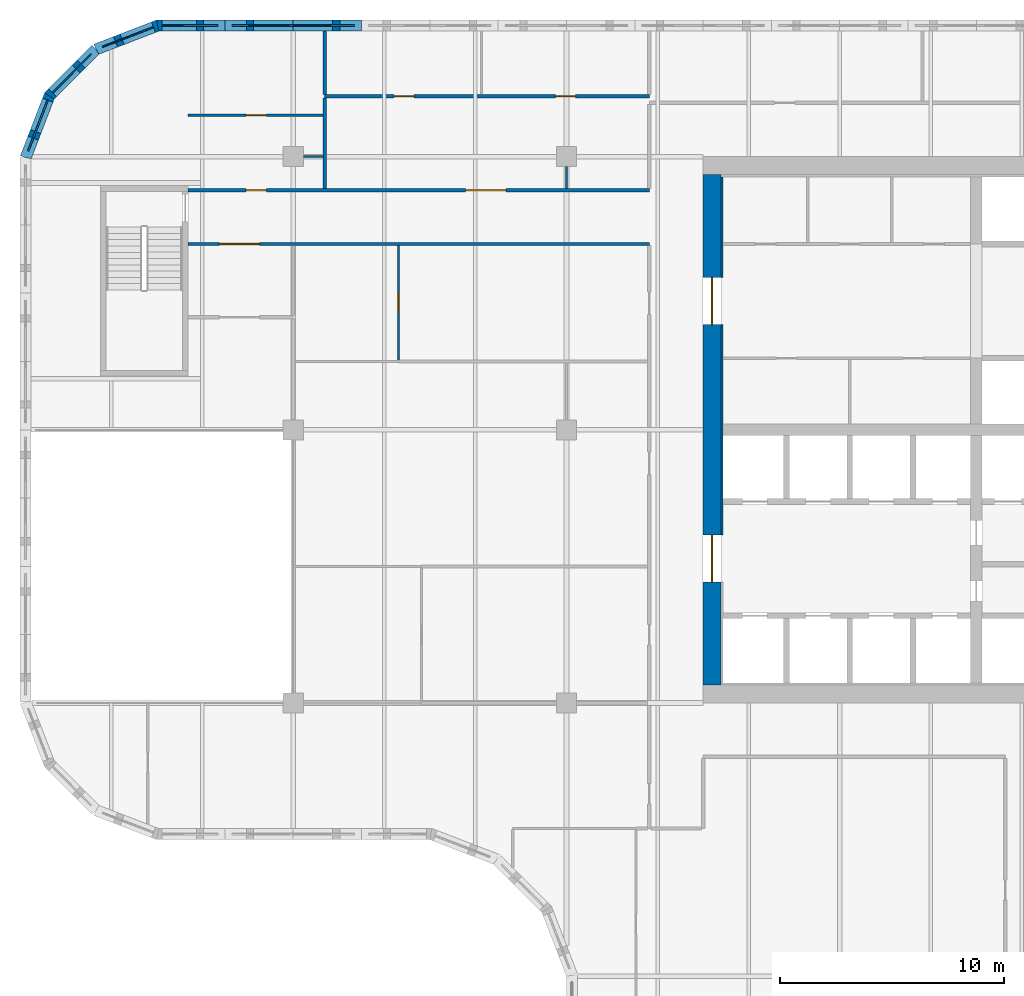
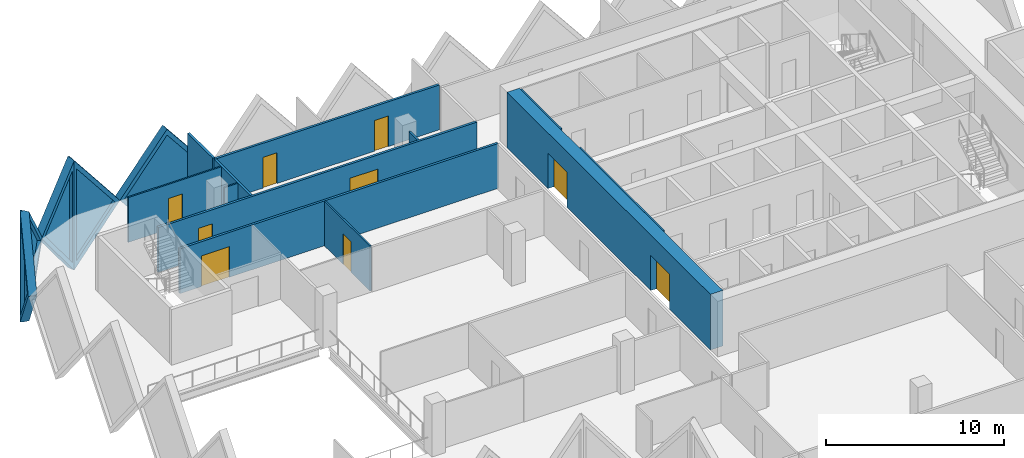
# One storey, part 8 of 19: 17 walls, 9 doors, 5 plates, 14 openings.
"""IFC4 building model written with IfcOpenShell, lengths in metres."""

import ifcopenshell
import ifcopenshell.guid

model = None  # the IFC model being written
_history = None  # IfcOwnerHistory: only IFC2X3 demands one
_inside = {}  # id of a spatial element -> (the spatial element, [elements in it])
_under = {}  # id of a project, library or spatial element -> (it, [spatial elements below it])
_declared = {}  # id of a project -> (the project, [libraries it declares])
_typed = {}  # id of a type object -> (the type object, [elements of that type])
_made_of = {}  # id of a material, layer set ... -> (it, [elements and type objects made of it])


def new_model(schema):
    """Start an empty IFC model of exactly this schema.

    Asked for "IFC4X3", IfcOpenShell would pick the latest addendum, in which some entities
    have other attributes; the version numbers below select the first issue.
    IFC2X3 requires an IfcOwnerHistory on every rooted entity: one is made here for all.
    """
    global model, _history
    if schema == "IFC4X3":
        model = ifcopenshell.file(schema_version=(4, 3, 0, 0))
    else:
        model = ifcopenshell.file(schema=schema)
    _inside.clear()
    _under.clear()
    _declared.clear()
    _typed.clear()
    _made_of.clear()
    _history = None
    if model.schema == "IFC2X3":
        org = make("IfcOrganization", Name="unknown")
        user = make(
            "IfcPersonAndOrganization",
            ThePerson=make("IfcPerson", FamilyName="unknown"),
            TheOrganization=org,
        )
        app = make(
            "IfcApplication",
            ApplicationDeveloper=org,
            Version="unknown",
            ApplicationFullName="unknown",
            ApplicationIdentifier="unknown",
        )
        _history = make(
            "IfcOwnerHistory",
            OwningUser=user,
            OwningApplication=app,
            ChangeAction="ADDED",
            CreationDate=0,
        )
    return model


def make(cls, **values):
    """One entity of the class cls with the attributes given. An attribute that is None is left unset."""
    return model.create_entity(
        cls, **{name: value for name, value in values.items() if value is not None}
    )


def rooted(cls, **values):
    """An entity with a GlobalId (a new one), such as an element, a storey or a relation."""
    return make(cls, GlobalId=ifcopenshell.guid.new(), OwnerHistory=_history, **values)


def si_unit(unit_type, name, prefix=None):
    """IfcSIUnit, for example si_unit("LENGTHUNIT", "METRE", prefix="MILLI")."""
    return make("IfcSIUnit", UnitType=unit_type, Prefix=prefix, Name=name)


def assignment(units):
    """IfcUnitAssignment: the units of a project."""
    return None if units is None else make("IfcUnitAssignment", Units=units)


def point(xyz):
    """IfcCartesianPoint."""
    return None if xyz is None else make("IfcCartesianPoint", Coordinates=xyz)


def direction(xyz):
    """IfcDirection."""
    return None if xyz is None else make("IfcDirection", DirectionRatios=xyz)


def frame(location, z_axis=None, x_axis=None):
    """IfcAxis2Placement3D, a coordinate frame: its origin and axes. An axis left out is left unset."""
    return make(
        "IfcAxis2Placement3D",
        Location=point(location),
        Axis=direction(z_axis),
        RefDirection=direction(x_axis),
    )


def frame_2d(location, x_axis=None):
    """IfcAxis2Placement2D, a coordinate frame in the plane: its origin and x axis."""
    return make(
        "IfcAxis2Placement2D", Location=point(location), RefDirection=direction(x_axis)
    )


def origin():
    """The frame at (0, 0, 0) with its axes left unset."""
    return frame((0.0, 0.0, 0.0))


def place(relative_to, where):
    """IfcLocalPlacement: puts the frame where relative to a parent placement (None: the world)."""
    return make(
        "IfcLocalPlacement", PlacementRelTo=relative_to, RelativePlacement=where
    )


def context(
    kind, dimensions, precision=None, world=None, true_north=None, identifier=None
):
    """IfcGeometricRepresentationContext, for example the 3D "Model" context."""
    return make(
        "IfcGeometricRepresentationContext",
        ContextIdentifier=identifier,
        ContextType=kind,
        CoordinateSpaceDimension=dimensions,
        Precision=precision,
        WorldCoordinateSystem=world,
        TrueNorth=true_north,
    )


def subcontext(parent, identifier, kind, view, scale=None):
    """IfcGeometricRepresentationSubContext, for example "Body" below "Model"."""
    return make(
        "IfcGeometricRepresentationSubContext",
        ContextIdentifier=identifier,
        ContextType=kind,
        ParentContext=parent,
        TargetScale=scale,
        TargetView=view,
    )


def project(units=None, contexts=None):
    """IfcProject with its units and contexts."""
    return rooted(
        "IfcProject",
        Name="project",
        RepresentationContexts=contexts,
        UnitsInContext=assignment(units),
    )


def spatial(cls, under=None, at=None, **own):
    """A site, building, storey or space (cls), placed at a placement, below another one or the project."""
    s = rooted(cls, ObjectPlacement=at, **own)
    if under is not None:
        _under.setdefault(under.id(), (under, []))[1].append(s)
    return s


def polyline(points):
    """IfcPolyline through the points."""
    return make("IfcPolyline", Points=[point(p) for p in points])


def profile(cls, at=None, kind="AREA", **sizes):
    """A parametric profile (cls). Its sizes go by their IFC names, for example OverallWidth=200.0."""
    return make(cls, ProfileType=kind, Position=at, **sizes)


def rectangle(**sizes):
    """IfcRectangleProfileDef."""
    return profile("IfcRectangleProfileDef", **sizes)


def outline(outer, holes=None, kind="AREA"):
    """IfcArbitraryClosedProfileDef: a profile drawn as a closed curve; with holes, ...WithVoids."""
    if holes is None:
        return make("IfcArbitraryClosedProfileDef", ProfileType=kind, OuterCurve=outer)
    return make(
        "IfcArbitraryProfileDefWithVoids",
        ProfileType=kind,
        OuterCurve=outer,
        InnerCurves=holes,
    )


def extrude(swept, where, along, depth):
    """IfcExtrudedAreaSolid: the profile swept, set in the frame where, extruded along a direction by depth."""
    return make(
        "IfcExtrudedAreaSolid",
        SweptArea=swept,
        Position=where,
        ExtrudedDirection=direction(along),
        Depth=depth,
    )


def faces_of(points, faces, orient=None, outer=None):
    """IfcFace entities. A face is a list of loops; a loop is a list of indices into points, from 0.

    orient and outer hold one flag for each loop. By default every Orientation is true, the
    first loop of a face is its IfcFaceOuterBound and the others are IfcFaceBound.
    """
    made = []
    for i, loops in enumerate(faces):
        bounds = []
        for j, loop in enumerate(loops):
            is_outer = j == 0 if outer is None else outer[i][j]
            bounds.append(
                make(
                    "IfcFaceOuterBound" if is_outer else "IfcFaceBound",
                    Bound=make("IfcPolyLoop", Polygon=[points[k] for k in loop]),
                    Orientation=True if orient is None else orient[i][j],
                )
            )
        made.append(make("IfcFace", Bounds=bounds))
    return made


def faceted_brep(points, faces, orient=None, outer=None, voids=None):
    """IfcFacetedBrep: a solid bounded by flat faces; with voids (closed shells), ...WithVoids."""
    shared = [point(p) for p in points]
    hull = make("IfcClosedShell", CfsFaces=faces_of(shared, faces, orient, outer))
    if voids is None:
        return make("IfcFacetedBrep", Outer=hull)
    return make(
        "IfcFacetedBrepWithVoids",
        Outer=hull,
        Voids=[
            make(cls, CfsFaces=faces_of(shared, fs, o, b)) for cls, fs, o, b in voids
        ],
    )


def shape(context_of_items, identifier, shape_type, items):
    """IfcShapeRepresentation: the items that make up one representation, for example the "Body"."""
    return make(
        "IfcShapeRepresentation",
        ContextOfItems=context_of_items,
        RepresentationIdentifier=identifier,
        RepresentationType=shape_type,
        Items=items,
    )


def source(mapping_origin, context_of_items, identifier, shape_type, items):
    """IfcRepresentationMap: a shape defined once, which mapped items show again and again."""
    return make(
        "IfcRepresentationMap",
        MappingOrigin=mapping_origin,
        MappedRepresentation=shape(context_of_items, identifier, shape_type, items),
    )


def transform(
    local_origin,
    x_axis=None,
    y_axis=None,
    z_axis=None,
    scale=None,
    scale2=None,
    scale3=None,
    uniform=True,
):
    """IfcCartesianTransformationOperator3D, or its non-uniform kind. x_axis, y_axis, z_axis: its Axis1, 2, 3."""
    if uniform:
        return make(
            "IfcCartesianTransformationOperator3D",
            Axis1=direction(x_axis),
            Axis2=direction(y_axis),
            LocalOrigin=point(local_origin),
            Scale=scale,
            Axis3=direction(z_axis),
        )
    return make(
        "IfcCartesianTransformationOperator3DnonUniform",
        Axis1=direction(x_axis),
        Axis2=direction(y_axis),
        LocalOrigin=point(local_origin),
        Scale=scale,
        Axis3=direction(z_axis),
        Scale2=scale2,
        Scale3=scale3,
    )


def mapped(mapping_source, mapping_target):
    """IfcMappedItem: shows the shape of a source again, moved by a transform."""
    return make(
        "IfcMappedItem", MappingSource=mapping_source, MappingTarget=mapping_target
    )


def material(Name=None, Category=None):
    """IfcMaterial."""
    return make("IfcMaterial", Name=Name, Category=Category)


def layer(
    of_material, thickness, ventilated=None, Name=None, Category=None, Priority=None
):
    """IfcMaterialLayer: one layer of a wall or slab, of a material (None: an air gap)."""
    return make(
        "IfcMaterialLayer",
        Material=of_material,
        LayerThickness=thickness,
        IsVentilated=ventilated,
        Name=Name,
        Category=Category,
        Priority=Priority,
    )


def layer_set(layers, Name=None):
    """IfcMaterialLayerSet."""
    return make("IfcMaterialLayerSet", MaterialLayers=layers, LayerSetName=Name)


def made_of(thing, what):
    """Note that an element or type object is made of a material, layer set ...; save() writes the relation."""
    if what is not None:
        _made_of.setdefault(what.id(), (what, []))[1].append(thing)
    return thing


def type_object(cls, material=None, **own):
    """A type object (cls), such as IfcWallType, which elements share."""
    return made_of(rooted(cls, **own), material)


def element(
    cls,
    number,
    at=None,
    inside=None,
    cuts=None,
    type_object=None,
    material=None,
    context=None,
    identifier="Body",
    shape_type=None,
    held_by="IfcProductDefinitionShape",
    body=None,
    shapes=None,
    **own,
):
    """One element of the class cls, such as IfcWall. Its Tag is "e" and its number.

    at: its placement. inside: the storey or other place that contains it. cuts: it is an
    opening in that element (IfcRelVoidsElement). A single representation is given by context,
    identifier, shape_type and body (its items); several are given by shapes. held_by: the class
    of the entity that holds the representations. save() writes the other relations.
    """
    e = rooted(cls, Tag="e%d" % number, ObjectPlacement=at, **own)
    if body is not None:
        shapes = [shape(context, identifier, shape_type, body)]
    if shapes is not None:
        e.Representation = make(held_by, Representations=shapes)
    if inside is not None:
        _inside.setdefault(inside.id(), (inside, []))[1].append(e)
    if cuts is not None:
        rooted(
            "IfcRelVoidsElement", RelatingBuildingElement=cuts, RelatedOpeningElement=e
        )
    if type_object is not None:
        _typed.setdefault(type_object.id(), (type_object, []))[1].append(e)
    return made_of(e, material)


def fill(opening, filler):
    """IfcRelFillsElement: the door or window that sits in an opening."""
    return rooted(
        "IfcRelFillsElement",
        RelatingOpeningElement=opening,
        RelatedBuildingElement=filler,
    )


def aggregate(whole, parts):
    """IfcRelAggregates: a whole, such as a stair, and the parts it consists of."""
    return rooted("IfcRelAggregates", RelatingObject=whole, RelatedObjects=parts)


def save(model, path):
    """Write the relations noted so far, then the file.

    IfcRelAggregates (storeys below a building ...), IfcRelContainedInSpatialStructure (elements
    in a storey), IfcRelDefinesByType, IfcRelAssociatesMaterial and IfcRelDeclares: one each for
    every whole, place, type object, material and project.
    """
    for whole, parts in _under.values():
        aggregate(whole, parts)
    for where, things in _inside.values():
        rooted(
            "IfcRelContainedInSpatialStructure",
            RelatedElements=things,
            RelatingStructure=where,
        )
    for kind, things in _typed.values():
        rooted("IfcRelDefinesByType", RelatedObjects=things, RelatingType=kind)
    for what, things in _made_of.values():
        rooted("IfcRelAssociatesMaterial", RelatedObjects=things, RelatingMaterial=what)
    for by, libraries in _declared.values():
        rooted("IfcRelDeclares", RelatingContext=by, RelatedDefinitions=libraries)
    model.write(path)


model = new_model("IFC4")

# Units and contexts
model_context = context("Model", 3, precision=1e-05, world=origin(), true_north=direction((0.0, 1.0)))
body_context = subcontext(model_context, "Body", "Model", "MODEL_VIEW")
ifc_project = project(units=[si_unit("LENGTHUNIT", "METRE"), si_unit("AREAUNIT", "SQUARE_METRE"), si_unit("VOLUMEUNIT", "CUBIC_METRE"), si_unit("PLANEANGLEUNIT", "RADIAN"), si_unit("MASSUNIT", "GRAM", prefix="KILO")], contexts=[model_context])

# Site, building, storey
site_placement = place(None, origin())
site = spatial("IfcSite", under=ifc_project, at=site_placement, CompositionType="ELEMENT")
building_placement = place(site_placement, origin())
building = spatial("IfcBuilding", under=site, at=building_placement, Name="Tessera Gate Towers", CompositionType="ELEMENT")
storey_placement = place(building_placement, frame((0.0, 0.0, 83.800048828125)))
storey = spatial("IfcBuildingStorey", under=building, at=storey_placement, Name="L20", CompositionType="ELEMENT", Elevation=83.800048828125)

# Wall, openings, doors
ifc_material_1 = material(Name="Concrete C60/75", Category="concrete")
ifc_layer_1 = layer(ifc_material_1, 0.800048828125)
ifc_layer_set_1 = layer_set([ifc_layer_1], Name="CORE SHEAR WALL 800 C60/75")
wall_type_1 = type_object("IfcWallType", Name="CORE SHEAR WALL 800 C60/75", PredefinedType="SHEAR", material=ifc_layer_set_1)
wall_1_placement = place(storey_placement, frame((30.89990234375, 25.199951171875, 0.0), z_axis=(0.0, 0.0, 1.0), x_axis=(0.0, 1.0, 0.0)))
wall_1 = element("IfcWall", 1, at=wall_1_placement, inside=storey, type_object=wall_type_1, Name="Core wall W L20", PredefinedType="SHEAR", context=body_context, shape_type="SweptSolid", body=[
    extrude(rectangle(XDim=22.800048828125, YDim=0.800048828125, at=frame_2d((11.39990234375, 0.0))), origin(), (0.0, 0.0, 1.0), 3.800048828125),
])
shared_shape_1 = source(origin(), body_context, "Body", "SweptSolid", [
    extrude(rectangle(XDim=2.10009765625, YDim=2.39990234375, at=frame_2d((1.050048828125, 1.199951171875))), frame((0.0, 0.409912109375, 0.0), z_axis=(0.0, -1.0, 0.0), x_axis=(1.0, 0.0, 0.0)), (0.0, 0.0, 1.0), 0.820068359375),
])
opening_1_placement = place(wall_1_placement, frame((4.60009765625, 0.0, 0.0)))
opening_1 = element("IfcOpeningElement", 2, at=opening_1_placement, cuts=wall_1, Name="Opening DD-T1-14-02", PredefinedType="OPENING", context=body_context, shape_type="MappedRepresentation", body=[
    mapped(shared_shape_1, transform((0.0, 0.0, 0.0), scale=1.0)),
])
opening_2_placement = place(wall_1_placement, frame((16.10009765625, 0.0, 0.0)))
opening_2 = element("IfcOpeningElement", 3, at=opening_2_placement, cuts=wall_1, Name="Opening DD-T1-14-03", PredefinedType="OPENING", context=body_context, shape_type="MappedRepresentation", body=[
    mapped(shared_shape_1, transform((0.0, 0.0, 0.0), scale=1.0)),
])
ifc_material_2 = material(Name="Hollow steel fire door", Category="steel")
door_type_1 = type_object("IfcDoorType", Name="CORE DOOR DD 2100x2400", OperationType="NOTDEFINED", PredefinedType="DOOR", material=ifc_material_2)
shared_shape_2 = source(origin(), body_context, "Body", "SweptSolid", [
    extrude(rectangle(XDim=2.10009765625, YDim=2.39990234375, at=frame_2d((1.050048828125, 1.199951171875))), frame((0.0, 0.02490234375, 0.0), z_axis=(0.0, -1.0, 0.0), x_axis=(1.0, 0.0, 0.0)), (0.0, 0.0, 1.0), 0.050048828125),
])
door_1_placement = place(opening_1_placement, origin())
door_1 = element("IfcDoor", 4, at=door_1_placement, inside=storey, type_object=door_type_1, Name="Core entrance door", OperationType="DOUBLE_DOOR_SINGLE_SWING", OverallHeight=2.39990234375, OverallWidth=2.10009765625, PredefinedType="DOOR", context=body_context, shape_type="MappedRepresentation", body=[
    mapped(shared_shape_2, transform((0.0, 0.0, 0.0), scale=1.0)),
])
fill(opening_1, door_1)
door_2_placement = place(opening_2_placement, origin())
door_2 = element("IfcDoor", 5, at=door_2_placement, inside=storey, type_object=door_type_1, Name="Core entrance door", OperationType="DOUBLE_DOOR_SINGLE_SWING", OverallHeight=2.39990234375, OverallWidth=2.10009765625, PredefinedType="DOOR", context=body_context, shape_type="MappedRepresentation", body=[
    mapped(shared_shape_2, transform((0.0, 0.0, 0.0), scale=1.0)),
])
fill(opening_2, door_2)

# Walls
ifc_material_3 = material(Name="Concrete C60/75", Category="concrete")
ifc_layer_2 = layer(ifc_material_3, 0.10009765625)
ifc_layer_set_2 = layer_set([ifc_layer_2], Name="CORE WALL THICKENING 100")
wall_type_2 = type_object("IfcWallType", Name="CORE WALL THICKENING 100", PredefinedType="SOLIDWALL", material=ifc_layer_set_2)
wall_2_placement = place(storey_placement, frame((31.35009765625, 31.89990234375, 0.0), z_axis=(0.0, 0.0, 1.0), x_axis=(0.0, 1.0, 0.0)))
element("IfcWall", 6, at=wall_2_placement, inside=storey, type_object=wall_type_2, Name="Core wall thickening W L20", PredefinedType="SOLIDWALL", context=body_context, shape_type="SweptSolid", body=[
    extrude(rectangle(XDim=9.400146484375, YDim=0.10009765625, at=frame_2d((4.7001953125, 0.0))), origin(), (0.0, 0.0, 1.0), 3.800048828125),
])
wall_3_placement = place(storey_placement, frame((31.35009765625, 43.39990234375, 0.0), z_axis=(0.0, 0.0, 1.0), x_axis=(0.0, 1.0, 0.0)))
element("IfcWall", 7, at=wall_3_placement, inside=storey, type_object=wall_type_2, Name="Core wall thickening W L20", PredefinedType="SOLIDWALL", context=body_context, shape_type="SweptSolid", body=[
    extrude(rectangle(XDim=4.5, YDim=0.10009765625, at=frame_2d((2.25, 0.0))), origin(), (0.0, 0.0, 1.0), 3.800048828125),
])

# Wall, opening, door
ifc_material_4 = material(Name="Gypsum board on steel studs, mineral wool", Category="steel")
ifc_layer_3 = layer(ifc_material_4, 0.14990234375)
ifc_layer_set_3 = layer_set([ifc_layer_3], Name="CORRIDOR WALL 150")
wall_type_3 = type_object("IfcWallType", Name="CORRIDOR WALL 150", PredefinedType="PARTITIONING", material=ifc_layer_set_3)
wall_4_placement = place(storey_placement, frame((28.10009765625, 44.89990234375, 0.0), z_axis=(0.0, 0.0, 1.0), x_axis=(-1.0, 0.0, 0.0)))
wall_4 = element("IfcWall", 8, at=wall_4_placement, inside=storey, type_object=wall_type_3, Name="T1-L20-PW-039", PredefinedType="PARTITIONING", context=body_context, shape_type="SweptSolid", body=[
    extrude(rectangle(XDim=20.60009765625, YDim=0.14990234375, at=frame_2d((10.300048828125, 0.0))), origin(), (0.0, 0.0, 1.0), 3.06689453125),
])
shared_shape_3 = source(origin(), body_context, "Body", "SweptSolid", [
    extrude(rectangle(XDim=1.800048828125, YDim=2.10009765625, at=frame_2d((0.89990234375, 1.050048828125))), frame((0.0, 0.0849609375, 0.0), z_axis=(0.0, -1.0, 0.0), x_axis=(1.0, 0.0, 0.0)), (0.0, 0.0, 1.0), 0.169921875),
])
opening_3_placement = place(wall_4_placement, frame((17.39990234375, 0.0, 0.0)))
opening_3 = element("IfcOpeningElement", 9, at=opening_3_placement, cuts=wall_4, Name="Opening D2180FD60-A07-01", PredefinedType="OPENING", context=body_context, shape_type="MappedRepresentation", body=[
    mapped(shared_shape_3, transform((0.0, 0.0, 0.0), scale=1.0)),
])
ifc_material_5 = material(Name="Timber door leaf in steel frame", Category="steel")
door_type_2 = type_object("IfcDoorType", Name="TENANCY ENTRANCE DOUBLE DOOR 1800 FD60", OperationType="NOTDEFINED", PredefinedType="DOOR", material=ifc_material_5)
shared_shape_4 = source(origin(), body_context, "Body", "SweptSolid", [
    extrude(rectangle(XDim=1.800048828125, YDim=2.10009765625, at=frame_2d((0.89990234375, 1.050048828125))), frame((0.0, 0.02490234375, 0.0), z_axis=(0.0, -1.0, 0.0), x_axis=(1.0, 0.0, 0.0)), (0.0, 0.0, 1.0), 0.050048828125),
])
door_3_placement = place(opening_3_placement, origin())
door_3 = element("IfcDoor", 10, at=door_3_placement, inside=storey, type_object=door_type_2, Name="T1-L20-PD-002", OperationType="DOUBLE_DOOR_SINGLE_SWING", OverallHeight=2.10009765625, OverallWidth=1.800048828125, PredefinedType="DOOR", context=body_context, shape_type="MappedRepresentation", body=[
    mapped(shared_shape_4, transform((0.0, 0.0, 0.0), scale=1.0)),
])
fill(opening_3, door_3)

# Wall, openings, doors
wall_5_placement = place(storey_placement, frame((7.5, 47.300048828125, 0.0), z_axis=(0.0, 0.0, 1.0), x_axis=(1.0, 0.0, 0.0)))
wall_5 = element("IfcWall", 11, at=wall_5_placement, inside=storey, type_object=wall_type_3, Name="T1-L20-PW-040", PredefinedType="PARTITIONING", context=body_context, shape_type="SweptSolid", body=[
    extrude(rectangle(XDim=20.60009765625, YDim=0.14990234375, at=frame_2d((10.300048828125, 0.0))), origin(), (0.0, 0.0, 1.0), 3.06689453125),
])
shared_shape_5 = source(origin(), body_context, "Body", "SweptSolid", [
    extrude(rectangle(XDim=0.89990234375, YDim=2.10009765625, at=frame_2d((0.449951171875, 1.050048828125))), frame((0.0, 0.0849609375, 0.0), z_axis=(0.0, -1.0, 0.0), x_axis=(1.0, 0.0, 0.0)), (0.0, 0.0, 1.0), 0.169921875),
])
opening_4_placement = place(wall_5_placement, frame((2.60009765625, 0.0, 0.0)))
opening_4 = element("IfcOpeningElement", 12, at=opening_4_placement, cuts=wall_5, Name="Opening D890FD60-A07-03", PredefinedType="OPENING", context=body_context, shape_type="MappedRepresentation", body=[
    mapped(shared_shape_5, transform((0.0, 0.0, 0.0), scale=1.0)),
])
opening_5_placement = place(wall_5_placement, frame((12.39990234375, 0.0, 0.0)))
opening_5 = element("IfcOpeningElement", 13, at=opening_5_placement, cuts=wall_5, Name="Opening D2180FD60-A07-02", PredefinedType="OPENING", context=body_context, shape_type="MappedRepresentation", body=[
    mapped(shared_shape_3, transform((0.0, 0.0, 0.0), scale=1.0)),
])
ifc_material_6 = material(Name="Timber door leaf in steel frame", Category="steel")
door_type_3 = type_object("IfcDoorType", Name="CORRIDOR DOOR 900 FD60", OperationType="NOTDEFINED", PredefinedType="DOOR", material=ifc_material_6)
shared_shape_6 = source(origin(), body_context, "Body", "SweptSolid", [
    extrude(rectangle(XDim=0.89990234375, YDim=2.10009765625, at=frame_2d((0.449951171875, 1.050048828125))), frame((0.0, 0.02490234375, 0.0), z_axis=(0.0, -1.0, 0.0), x_axis=(1.0, 0.0, 0.0)), (0.0, 0.0, 1.0), 0.050048828125),
])
door_4_placement = place(opening_4_placement, origin())
door_4 = element("IfcDoor", 14, at=door_4_placement, inside=storey, type_object=door_type_3, Name="T1-L20-PD-011", OperationType="SINGLE_SWING_LEFT", OverallHeight=2.10009765625, OverallWidth=0.89990234375, PredefinedType="DOOR", context=body_context, shape_type="MappedRepresentation", body=[
    mapped(shared_shape_6, transform((0.0, 0.0, 0.0), scale=1.0)),
])
fill(opening_4, door_4)
door_5_placement = place(opening_5_placement, origin())
door_5 = element("IfcDoor", 15, at=door_5_placement, inside=storey, type_object=door_type_2, Name="T1-L20-PD-026", OperationType="DOUBLE_DOOR_SINGLE_SWING", OverallHeight=2.10009765625, OverallWidth=1.800048828125, PredefinedType="DOOR", context=body_context, shape_type="MappedRepresentation", body=[
    mapped(shared_shape_4, transform((0.0, 0.0, 0.0), scale=1.0)),
])
fill(opening_5, door_5)

# Wall, opening, door
ifc_material_7 = material(Name="Glass", Category="glass")
ifc_layer_4 = layer(ifc_material_7, 0.10009765625)
ifc_layer_set_4 = layer_set([ifc_layer_4], Name="GLAZED PARTITION 100")
wall_type_4 = type_object("IfcWallType", Name="GLAZED PARTITION 100", PredefinedType="PARTITIONING", material=ifc_layer_set_4)
wall_6_placement = place(storey_placement, frame((16.89990234375, 39.72607421875, 0.0), z_axis=(0.0, 0.0, 1.0), x_axis=(0.0, 1.0, 0.0)))
wall_6 = element("IfcWall", 16, at=wall_6_placement, inside=storey, type_object=wall_type_4, Name="T1-L20-PW-036", PredefinedType="PARTITIONING", context=body_context, shape_type="SweptSolid", body=[
    extrude(rectangle(XDim=5.097900390625, YDim=0.10009765625, at=frame_2d((2.548828125, 0.0))), origin(), (0.0, 0.0, 1.0), 3.06689453125),
])
shared_shape_7 = source(origin(), body_context, "Body", "SweptSolid", [
    extrude(rectangle(XDim=0.89990234375, YDim=2.10009765625, at=frame_2d((0.449951171875, 1.050048828125))), frame((0.0, 0.06005859375, 0.0), z_axis=(0.0, -1.0, 0.0), x_axis=(1.0, 0.0, 0.0)), (0.0, 0.0, 1.0), 0.1201171875),
])
opening_6_placement = place(wall_6_placement, frame((2.10009765625, 0.0, 0.0)))
opening_6 = element("IfcOpeningElement", 17, at=opening_6_placement, cuts=wall_6, Name="Opening D690-A07-01", PredefinedType="OPENING", context=body_context, shape_type="MappedRepresentation", body=[
    mapped(shared_shape_7, transform((0.0, 0.0, 0.0), scale=1.0)),
])
ifc_material_8 = material(Name="Glass in aluminium frame", Category="aluminium")
door_type_4 = type_object("IfcDoorType", Name="GLAZED DOOR 900 NOT RATED", OperationType="NOTDEFINED", PredefinedType="DOOR", material=ifc_material_8)
door_6_placement = place(opening_6_placement, origin())
door_6 = element("IfcDoor", 18, at=door_6_placement, inside=storey, type_object=door_type_4, Name="T1-L20-PD-004", OperationType="SINGLE_SWING_LEFT", OverallHeight=2.10009765625, OverallWidth=0.89990234375, PredefinedType="DOOR", context=body_context, shape_type="MappedRepresentation", body=[
    mapped(shared_shape_6, transform((0.0, 0.0, 0.0), scale=1.0)),
])
fill(opening_6, door_6)

wall_7_placement = place(storey_placement, frame((7.5, 50.64990234375, 0.0), z_axis=(0.0, 0.0, 1.0), x_axis=(1.0, 0.0, 0.0)))
wall_7 = element("IfcWall", 19, at=wall_7_placement, inside=storey, type_object=wall_type_4, Name="T1-L20-PW-045", PredefinedType="PARTITIONING", context=body_context, shape_type="SweptSolid", body=[
    extrude(rectangle(XDim=6.02392578125, YDim=0.10009765625, at=frame_2d((3.011962890625, 0.0))), origin(), (0.0, 0.0, 1.0), 3.06689453125),
])
opening_7_placement = place(wall_7_placement, frame((2.60009765625, 0.0, 0.0)))
opening_7 = element("IfcOpeningElement", 20, at=opening_7_placement, cuts=wall_7, Name="Opening D690-A07-05", PredefinedType="OPENING", context=body_context, shape_type="MappedRepresentation", body=[
    mapped(shared_shape_7, transform((0.0, 0.0, 0.0), scale=1.0)),
])
door_7_placement = place(opening_7_placement, origin())
door_7 = element("IfcDoor", 21, at=door_7_placement, inside=storey, type_object=door_type_4, Name="T1-L20-PD-010", OperationType="SINGLE_SWING_LEFT", OverallHeight=2.10009765625, OverallWidth=0.89990234375, PredefinedType="DOOR", context=body_context, shape_type="MappedRepresentation", body=[
    mapped(shared_shape_6, transform((0.0, 0.0, 0.0), scale=1.0)),
])
fill(opening_7, door_7)

# Walls
ifc_material_9 = material(Name="Gypsum board on steel studs", Category="steel")
ifc_layer_5 = layer(ifc_material_9, 0.10009765625)
ifc_layer_set_5 = layer_set([ifc_layer_5], Name="PARTITION 100")
wall_type_5 = type_object("IfcWallType", Name="PARTITION 100", PredefinedType="PARTITIONING", material=ifc_layer_set_5)
wall_8_placement = place(storey_placement, frame((24.39990234375, 48.35009765625, 0.0), z_axis=(0.0, 0.0, 1.0), x_axis=(0.0, -1.0, 0.0)))
element("IfcWall", 22, at=wall_8_placement, inside=storey, type_object=wall_type_5, Name="T1-L20-PW-043", PredefinedType="PARTITIONING", context=body_context, shape_type="SweptSolid", body=[
    extrude(rectangle(XDim=0.97509765625, YDim=0.10009765625, at=frame_2d((0.487548828125, 0.0))), origin(), (0.0, 0.0, 1.0), 3.06689453125),
])
wall_9_placement = place(storey_placement, frame((12.64990234375, 48.800048828125, 0.0), z_axis=(0.0, 0.0, 1.0), x_axis=(1.0, 0.0, 0.0)))
element("IfcWall", 23, at=wall_9_placement, inside=storey, type_object=wall_type_5, Name="T1-L20-PW-044", PredefinedType="PARTITIONING", context=body_context, shape_type="SweptSolid", body=[
    extrude(rectangle(XDim=0.875, YDim=0.10009765625, at=frame_2d((0.4375, 0.0))), origin(), (0.0, 0.0, 1.0), 3.06689453125),
])
ifc_material_10 = material(Name="Gypsum board on steel studs, mineral wool", Category="steel")
ifc_layer_6 = layer(ifc_material_10, 0.14990234375)
ifc_layer_set_6 = layer_set([ifc_layer_6], Name="TENANCY WALL 150")
wall_type_6 = type_object("IfcWallType", Name="TENANCY WALL 150", PredefinedType="PARTITIONING", material=ifc_layer_set_6)
wall_10_placement = place(storey_placement, frame((13.60009765625, 47.3759765625, 0.0), z_axis=(0.0, 0.0, 1.0), x_axis=(0.0, 1.0, 0.0)))
element("IfcWall", 24, at=wall_10_placement, inside=storey, type_object=wall_type_6, Name="T1-L20-PW-041", PredefinedType="PARTITIONING", context=body_context, shape_type="SweptSolid", body=[
    extrude(rectangle(XDim=4.048095703125, YDim=0.14990234375, at=frame_2d((2.02392578125, 0.0))), origin(), (0.0, 0.0, 1.0), 3.06689453125),
])

# Wall, openings, doors
wall_11_placement = place(storey_placement, frame((13.60009765625, 51.5, 0.0), z_axis=(0.0, 0.0, 1.0), x_axis=(1.0, 0.0, 0.0)))
wall_11 = element("IfcWall", 25, at=wall_11_placement, inside=storey, type_object=wall_type_6, Name="T1-L20-PW-049", PredefinedType="PARTITIONING", context=body_context, shape_type="SweptSolid", body=[
    extrude(rectangle(XDim=14.5, YDim=0.14990234375, at=frame_2d((7.25, 0.0))), origin(), (0.0, 0.0, 1.0), 3.06689453125),
])
opening_8_placement = place(wall_11_placement, frame((3.10009765625, 0.0, 0.0)))
opening_8 = element("IfcOpeningElement", 26, at=opening_8_placement, cuts=wall_11, Name="Opening D190-A07-01", PredefinedType="OPENING", context=body_context, shape_type="MappedRepresentation", body=[
    mapped(shared_shape_5, transform((0.0, 0.0, 0.0), scale=1.0)),
])
opening_9_placement = place(wall_11_placement, frame((10.3046875, 0.0, 0.0)))
opening_9 = element("IfcOpeningElement", 27, at=opening_9_placement, cuts=wall_11, Name="Opening D190-A07-02", PredefinedType="OPENING", context=body_context, shape_type="MappedRepresentation", body=[
    mapped(shared_shape_5, transform((0.0, 0.0, 0.0), scale=1.0)),
])
ifc_material_11 = material(Name="Timber door leaf in steel frame", Category="steel")
door_type_5 = type_object("IfcDoorType", Name="INTERNAL DOOR 900 NOT RATED", OperationType="NOTDEFINED", PredefinedType="DOOR", material=ifc_material_11)
door_8_placement = place(opening_8_placement, origin())
door_8 = element("IfcDoor", 28, at=door_8_placement, inside=storey, type_object=door_type_5, Name="T1-L20-PD-013", OperationType="SINGLE_SWING_LEFT", OverallHeight=2.10009765625, OverallWidth=0.89990234375, PredefinedType="DOOR", context=body_context, shape_type="MappedRepresentation", body=[
    mapped(shared_shape_6, transform((0.0, 0.0, 0.0), scale=1.0)),
])
fill(opening_8, door_8)
door_9_placement = place(opening_9_placement, origin())
door_9 = element("IfcDoor", 29, at=door_9_placement, inside=storey, type_object=door_type_5, Name="T1-L20-PD-015", OperationType="SINGLE_SWING_LEFT", OverallHeight=2.10009765625, OverallWidth=0.89990234375, PredefinedType="DOOR", context=body_context, shape_type="MappedRepresentation", body=[
    mapped(shared_shape_6, transform((0.0, 0.0, 0.0), scale=1.0)),
])
fill(opening_9, door_9)

# Wall
wall_12_placement = place(storey_placement, frame((13.60009765625, 51.575927734375, 0.0), z_axis=(0.0, 0.0, 1.0), x_axis=(0.0, 1.0, 0.0)))
element("IfcWall", 30, at=wall_12_placement, inside=storey, type_object=wall_type_6, Name="T1-L20-PW-050", PredefinedType="PARTITIONING", context=body_context, shape_type="SweptSolid", body=[
    extrude(rectangle(XDim=2.823974609375, YDim=0.14990234375, at=frame_2d((1.412109375, 0.0))), origin(), (0.0, 0.0, 1.0), 3.06689453125),
])

# Wall, opening, plate
ifc_material_12 = material(Name="Precast concrete C60/75 white", Category="concrete")
ifc_layer_7 = layer(ifc_material_12, 0.5)
ifc_layer_set_7 = layer_set([ifc_layer_7], Name="TS1 tessera")
wall_type_7 = type_object("IfcWallType", Name="TS1 tessera", PredefinedType="SOLIDWALL", material=ifc_layer_set_7)
shared_shape_8 = source(origin(), body_context, "Body", "SweptSolid", [
    extrude(outline(polyline([(3.050048828125, 0.0), (6.10009765625, 3.800048828125), (3.050048828125, 7.60009765625), (0.0, 3.800048828125), (3.050048828125, 0.0)])), frame((0.0, 0.25, 0.0), z_axis=(0.0, -1.0, 0.0), x_axis=(1.0, 0.0, 0.0)), (0.0, 0.0, 1.0), 0.5),
])
wall_13_placement = place(storey_placement, frame((15.25, 54.64990234375, -3.800048828125), z_axis=(0.0, 0.0, 1.0), x_axis=(-1.0, 0.0, 0.0)))
wall_13 = element("IfcWall", 31, at=wall_13_placement, inside=storey, type_object=wall_type_7, Name="Precast tessera T1 TS1-0315", PredefinedType="SOLIDWALL", context=body_context, shape_type="MappedRepresentation", body=[
    mapped(shared_shape_8, transform((0.0, 0.0, 0.0), scale=1.0)),
])
shared_shape_9 = source(origin(), body_context, "Body", "SweptSolid", [
    extrude(outline(polyline([(3.050048828125, 0.3994140625), (5.779541015625, 3.800048828125), (3.050048828125, 7.20068359375), (0.320556640625, 3.800048828125), (3.050048828125, 0.3994140625)])), frame((0.0, 0.260009765625, 0.0), z_axis=(0.0, -1.0, 0.0), x_axis=(1.0, 0.0, 0.0)), (0.0, 0.0, 1.0), 0.52001953125),
])
opening_10_placement = place(wall_13_placement, origin())
opening_10 = element("IfcOpeningElement", 32, at=opening_10_placement, cuts=wall_13, Name="Opening T1-PL2-0637", PredefinedType="OPENING", context=body_context, shape_type="MappedRepresentation", body=[
    mapped(shared_shape_9, transform((0.0, 0.0, 0.0), scale=1.0)),
])
ifc_material_13 = material(Name="Low-e laminated glass", Category="glass")
ifc_layer_8 = layer(ifc_material_13, 0.06005859375)
ifc_layer_set_8 = layer_set([ifc_layer_8], Name="PL2 rhombic pane")
plate_type = type_object("IfcPlateType", Name="PL2 rhombic pane", PredefinedType="SHEET", material=ifc_layer_set_8)
shared_shape_10 = source(origin(), body_context, "Body", "SweptSolid", [
    extrude(outline(polyline([(3.050048828125, 0.3994140625), (5.779541015625, 3.800048828125), (3.050048828125, 7.20068359375), (0.320556640625, 3.800048828125), (3.050048828125, 0.3994140625)])), frame((0.0, 0.030029296875, 0.0), z_axis=(0.0, -1.0, 0.0), x_axis=(1.0, 0.0, 0.0)), (0.0, 0.0, 1.0), 0.06005859375),
])
plate_1_placement = place(opening_10_placement, origin())
plate_1 = element("IfcPlate", 33, at=plate_1_placement, inside=storey, type_object=plate_type, Name="Glass pane T1 PL2-0637", PredefinedType="SHEET", context=body_context, shape_type="MappedRepresentation", body=[
    mapped(shared_shape_10, transform((0.0, 0.0, 0.0), scale=1.0)),
])
fill(opening_10, plate_1)

ifc_material_14 = material(Name="Precast concrete C60/75 white", Category="concrete")
ifc_layer_9 = layer(ifc_material_14, 0.5)
ifc_layer_set_9 = layer_set([ifc_layer_9], Name="TS3 corner tessera")
wall_type_8 = type_object("IfcWallType", Name="TS3 corner tessera", PredefinedType="SOLIDWALL", material=ifc_layer_set_9)
shared_shape_11 = source(origin(), body_context, "Body", "Brep", [
    faceted_brep([(3.00341796875, -0.25, 0.0), (3.050048828125, -0.25, 0.06005859375), (3.050048828125, -0.25, 7.5400390625), (3.00341796875, -0.25, 7.60009765625), (0.0, -0.25, 3.800048828125), (0.0, 0.25, 3.800048828125), (2.956787109375, 0.25, 7.541259765625), (2.956787109375, 0.25, 0.058837890625), (3.00341796875, 0.000244140625, 0.0), (3.00341796875, 0.000244140625, 7.60009765625)], [[[0, 1, 2, 3, 4]], [[5, 6, 7]], [[1, 0, 8]], [[9, 3, 2]], [[6, 5, 4, 3, 9]], [[5, 7, 8, 0, 4]], [[1, 8, 7, 6, 9, 2]]]),
])
wall_14_placement = place(storey_placement, frame((9.14990234375, 54.64990234375, -3.800048828125), z_axis=(0.0, 0.0, 1.0), x_axis=(-1.0, 0.0, 0.0)))
wall_14 = element("IfcWall", 34, at=wall_14_placement, inside=storey, type_object=wall_type_8, Name="Precast corner tessera T1 TS3-0443", PredefinedType="SOLIDWALL", context=body_context, shape_type="MappedRepresentation", body=[
    mapped(shared_shape_11, transform((0.0, 0.0, 0.0), scale=1.0)),
])
shared_shape_12 = source(origin(), body_context, "Body", "SweptSolid", [
    extrude(outline(polyline([(2.803466796875, 6.94384765625), (0.318603515625, 3.800048828125), (2.803466796875, 0.65625), (2.803466796875, 6.94384765625)])), frame((0.0, 0.260009765625, 0.0), z_axis=(0.0, -1.0, 0.0), x_axis=(1.0, 0.0, 0.0)), (0.0, 0.0, 1.0), 0.52001953125),
])
opening_11_placement = place(wall_14_placement, origin())
opening_11 = element("IfcOpeningElement", 35, at=opening_11_placement, cuts=wall_14, Name="Opening T1-PL2-0638", PredefinedType="OPENING", context=body_context, shape_type="MappedRepresentation", body=[
    mapped(shared_shape_12, transform((0.0, 0.0, 0.0), scale=1.0)),
])
shared_shape_13 = source(origin(), body_context, "Body", "SweptSolid", [
    extrude(outline(polyline([(2.803466796875, 6.94384765625), (0.318603515625, 3.800048828125), (2.803466796875, 0.65625), (2.803466796875, 6.94384765625)])), frame((0.0, 0.030029296875, 0.0), z_axis=(0.0, -1.0, 0.0), x_axis=(1.0, 0.0, 0.0)), (0.0, 0.0, 1.0), 0.06005859375),
])
plate_2_placement = place(opening_11_placement, origin())
plate_2 = element("IfcPlate", 36, at=plate_2_placement, inside=storey, type_object=plate_type, Name="Glass pane T1 PL2-0638", PredefinedType="SHEET", context=body_context, shape_type="MappedRepresentation", body=[
    mapped(shared_shape_13, transform((0.0, 0.0, 0.0), scale=1.0)),
])
fill(opening_11, plate_2)

shared_shape_14 = source(origin(), body_context, "Body", "Brep", [
    faceted_brep([(0.046630859375, -0.25, 0.0), (2.9970703125, -0.25, 3.800048828125), (0.046630859375, -0.25, 7.60009765625), (0.0, -0.25, 7.541259765625), (0.0, -0.25, 0.058837890625), (0.09326171875, 0.25, 7.5400390625), (2.9443359375, 0.25, 3.8681640625), (2.9443359375, 0.25, 3.73193359375), (0.09326171875, 0.25, 0.06005859375), (2.9970703125, 0.00048828125, 3.800048828125), (0.046630859375, 0.0, 0.0), (0.046630859375, 0.0, 7.60009765625)], [[[0, 1, 2, 3, 4]], [[5, 6, 7, 8]], [[8, 7, 9, 1, 0, 10]], [[6, 5, 11, 2, 1, 9]], [[3, 2, 11]], [[10, 0, 4]], [[8, 10, 4, 3, 11, 5]], [[9, 7, 6]]]),
])
wall_15_placement = place(storey_placement, frame((6.18994140625, 54.666748046875, -3.800048828125), z_axis=(0.0, 0.0, 1.0), x_axis=(-0.932990326376, -0.359901446078, 0.0)))
wall_15 = element("IfcWall", 37, at=wall_15_placement, inside=storey, type_object=wall_type_8, Name="Precast corner tessera T1 TS3-0444", PredefinedType="SOLIDWALL", context=body_context, shape_type="MappedRepresentation", body=[
    mapped(shared_shape_14, transform((0.0, 0.0, 0.0), scale=1.0)),
])
shared_shape_15 = source(origin(), body_context, "Body", "SweptSolid", [
    extrude(outline(polyline([(0.24658203125, 0.665283203125), (2.6806640625, 3.800048828125), (0.24658203125, 6.934814453125), (0.24658203125, 0.665283203125)])), frame((0.0, 0.260009765625, 0.0), z_axis=(0.0, -1.0, 0.0), x_axis=(1.0, 0.0, 0.0)), (0.0, 0.0, 1.0), 0.52001953125),
])
opening_12_placement = place(wall_15_placement, origin())
opening_12 = element("IfcOpeningElement", 38, at=opening_12_placement, cuts=wall_15, Name="Opening T1-PL2-0639", PredefinedType="OPENING", context=body_context, shape_type="MappedRepresentation", body=[
    mapped(shared_shape_15, transform((0.0, 0.0, 0.0), scale=1.0)),
])
shared_shape_16 = source(origin(), body_context, "Body", "SweptSolid", [
    extrude(outline(polyline([(0.24658203125, 0.665283203125), (2.6806640625, 3.800048828125), (0.24658203125, 6.934814453125), (0.24658203125, 0.665283203125)])), frame((0.0, 0.030029296875, 0.0), z_axis=(0.0, -1.0, 0.0), x_axis=(1.0, 0.0, 0.0)), (0.0, 0.0, 1.0), 0.06005859375),
])
plate_3_placement = place(opening_12_placement, origin())
plate_3 = element("IfcPlate", 39, at=plate_3_placement, inside=storey, type_object=plate_type, Name="Glass pane T1 PL2-0639", PredefinedType="SHEET", context=body_context, shape_type="MappedRepresentation", body=[
    mapped(shared_shape_16, transform((0.0, 0.0, 0.0), scale=1.0)),
])
fill(opening_12, plate_3)

shared_shape_17 = source(origin(), body_context, "Body", "Brep", [
    faceted_brep([(0.052978515625, -0.25, 0.0), (3.00341796875, -0.25, 3.800048828125), (0.052978515625, -0.25, 7.60009765625), (0.0, -0.25, 7.53173828125), (0.0, -0.25, 0.068359375), (0.10595703125, 0.25, 7.531982421875), (2.95703125, 0.25, 3.85986328125), (2.95703125, 0.25, 3.740234375), (0.10595703125, 0.25, 0.068115234375), (3.00341796875, 0.00048828125, 3.800048828125), (0.052978515625, 0.0, 0.0), (0.052978515625, 0.0, 7.60009765625)], [[[0, 1, 2, 3, 4]], [[5, 6, 7, 8]], [[8, 7, 9, 1, 0, 10]], [[6, 5, 11, 2, 1, 9]], [[3, 2, 11]], [[10, 0, 4]], [[8, 10, 4, 3, 11, 5]], [[9, 7, 6]]]),
])
wall_16_placement = place(storey_placement, frame((1.3310546875, 51.5556640625, -3.800048828125), z_axis=(0.0, 0.0, 1.0), x_axis=(-0.35992665181, -0.932980602862, 0.0)))
wall_16 = element("IfcWall", 40, at=wall_16_placement, inside=storey, type_object=wall_type_8, Name="Precast corner tessera T1 TS3-0446", PredefinedType="SOLIDWALL", context=body_context, shape_type="MappedRepresentation", body=[
    mapped(shared_shape_17, transform((0.0, 0.0, 0.0), scale=1.0)),
])
shared_shape_18 = source(origin(), body_context, "Body", "SweptSolid", [
    extrude(outline(polyline([(0.2529296875, 0.665283203125), (2.68701171875, 3.800048828125), (0.2529296875, 6.934814453125), (0.2529296875, 0.665283203125)])), frame((0.0, 0.260009765625, 0.0), z_axis=(0.0, -1.0, 0.0), x_axis=(1.0, 0.0, 0.0)), (0.0, 0.0, 1.0), 0.52001953125),
])
opening_13_placement = place(wall_16_placement, origin())
opening_13 = element("IfcOpeningElement", 41, at=opening_13_placement, cuts=wall_16, Name="Opening T1-PL2-0641", PredefinedType="OPENING", context=body_context, shape_type="MappedRepresentation", body=[
    mapped(shared_shape_18, transform((0.0, 0.0, 0.0), scale=1.0)),
])
shared_shape_19 = source(origin(), body_context, "Body", "SweptSolid", [
    extrude(outline(polyline([(0.2529296875, 0.665283203125), (2.68701171875, 3.800048828125), (0.2529296875, 6.934814453125), (0.2529296875, 0.665283203125)])), frame((0.0, 0.030029296875, 0.0), z_axis=(0.0, -1.0, 0.0), x_axis=(1.0, 0.0, 0.0)), (0.0, 0.0, 1.0), 0.06005859375),
])
plate_4_placement = place(opening_13_placement, origin())
plate_4 = element("IfcPlate", 42, at=plate_4_placement, inside=storey, type_object=plate_type, Name="Glass pane T1 PL2-0641", PredefinedType="SHEET", context=body_context, shape_type="MappedRepresentation", body=[
    mapped(shared_shape_19, transform((0.0, 0.0, 0.0), scale=1.0)),
])
fill(opening_13, plate_4)

shared_shape_20 = source(origin(), body_context, "Body", "Brep", [
    faceted_brep([(2.944091796875, -0.25, 0.0), (2.9970703125, -0.25, 0.068115234375), (2.9970703125, -0.25, 7.531982421875), (2.944091796875, -0.25, 7.60009765625), (0.0, -0.25, 3.800048828125), (0.052978515625, 0.25, 3.868408203125), (2.89111328125, 0.25, 7.531982421875), (2.89111328125, 0.25, 0.068115234375), (0.052978515625, 0.25, 3.731689453125), (2.944091796875, 0.000244140625, 0.0), (2.944091796875, 0.000244140625, 7.60009765625), (0.0, 0.0, 3.800048828125)], [[[0, 1, 2, 3, 4]], [[5, 6, 7, 8]], [[1, 0, 9]], [[10, 3, 2]], [[6, 5, 11, 4, 3, 10]], [[8, 7, 9, 0, 4, 11]], [[8, 11, 5]], [[1, 9, 7, 6, 10, 2]]]),
])
wall_17_placement = place(storey_placement, frame((3.393798828125, 53.588134765625, -3.800048828125), z_axis=(0.0, 0.0, 1.0), x_axis=(-0.707106781187, -0.707106781187, 0.0)))
wall_17 = element("IfcWall", 43, at=wall_17_placement, inside=storey, type_object=wall_type_8, Name="Precast corner tessera T1 TS3-0445", PredefinedType="SOLIDWALL", context=body_context, shape_type="MappedRepresentation", body=[
    mapped(shared_shape_20, transform((0.0, 0.0, 0.0), scale=1.0)),
])
shared_shape_21 = source(origin(), body_context, "Body", "SweptSolid", [
    extrude(outline(polyline([(2.744140625, 6.93359375), (0.316162109375, 3.800048828125), (2.744140625, 0.666259765625), (2.744140625, 6.93359375)])), frame((0.0, 0.260009765625, 0.0), z_axis=(0.0, -1.0, 0.0), x_axis=(1.0, 0.0, 0.0)), (0.0, 0.0, 1.0), 0.52001953125),
])
opening_14_placement = place(wall_17_placement, origin())
opening_14 = element("IfcOpeningElement", 44, at=opening_14_placement, cuts=wall_17, Name="Opening T1-PL2-0640", PredefinedType="OPENING", context=body_context, shape_type="MappedRepresentation", body=[
    mapped(shared_shape_21, transform((0.0, 0.0, 0.0), scale=1.0)),
])
shared_shape_22 = source(origin(), body_context, "Body", "SweptSolid", [
    extrude(outline(polyline([(2.744140625, 6.93359375), (0.316162109375, 3.800048828125), (2.744140625, 0.666259765625), (2.744140625, 6.93359375)])), frame((0.0, 0.030029296875, 0.0), z_axis=(0.0, -1.0, 0.0), x_axis=(1.0, 0.0, 0.0)), (0.0, 0.0, 1.0), 0.06005859375),
])
plate_5_placement = place(opening_14_placement, origin())
plate_5 = element("IfcPlate", 45, at=plate_5_placement, inside=storey, type_object=plate_type, Name="Glass pane T1 PL2-0640", PredefinedType="SHEET", context=body_context, shape_type="MappedRepresentation", body=[
    mapped(shared_shape_22, transform((0.0, 0.0, 0.0), scale=1.0)),
])
fill(opening_14, plate_5)

save(model, "model.ifc")
